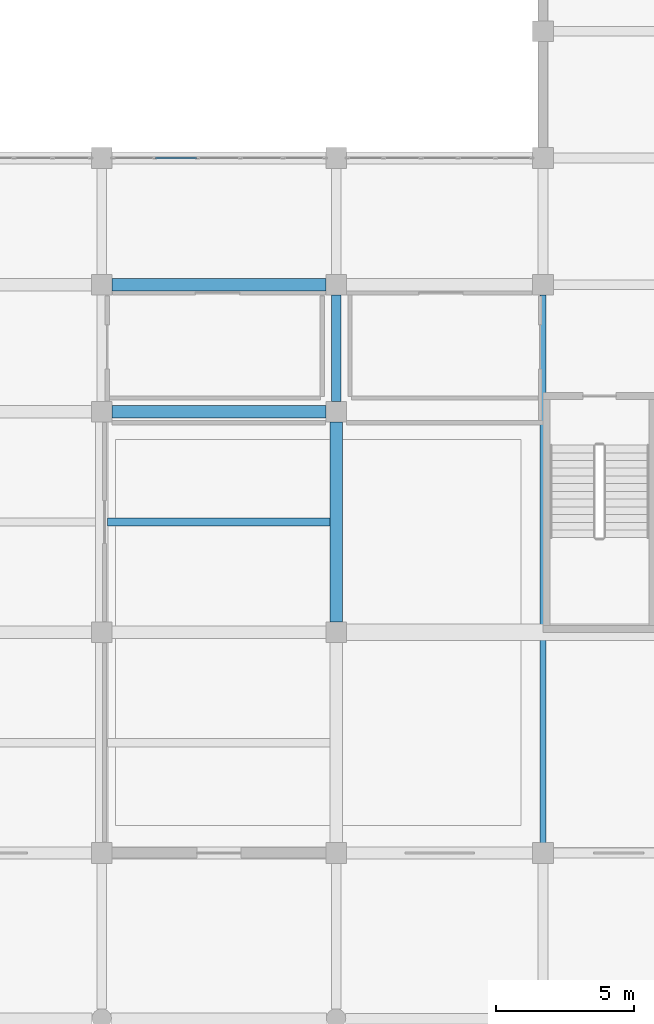
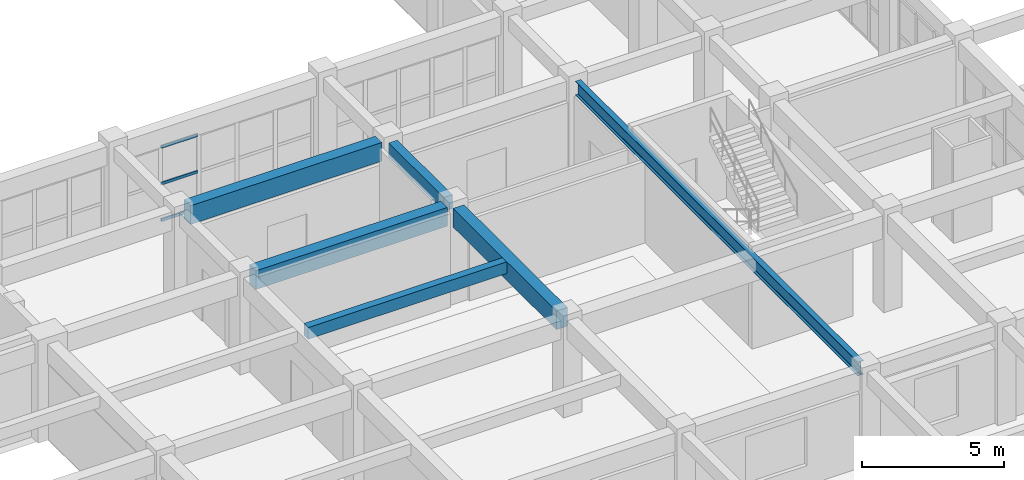
# One storey, part 51 of 116: 6 beams, 3 members, 1 element without a shape of its own.
"""IFC4 building model written with IfcOpenShell, lengths in metres."""

from ifc_helpers import new_model, si_unit, direction, frame, origin, origin_2d, place, context, subcontext, project, spatial, rectangle, hollow_rectangle, i_section, extrude, material, layer, layer_set, material_profile, profile_set, type_object, element, aggregate, save


model = new_model("IFC4")

# Units and contexts
model_context = context("Model", 3, precision=1e-05, world=origin(), true_north=direction((0.0, 1.0)))
body_context = subcontext(model_context, "Body", "Model", "MODEL_VIEW")
ifc_project = project(units=[si_unit("LENGTHUNIT", "METRE"), si_unit("AREAUNIT", "SQUARE_METRE"), si_unit("VOLUMEUNIT", "CUBIC_METRE"), si_unit("PLANEANGLEUNIT", "RADIAN"), si_unit("MASSUNIT", "GRAM", prefix="KILO")], contexts=[model_context])

# Site, building, storey
site_placement = place(None, origin())
site = spatial("IfcSite", under=ifc_project, at=site_placement, CompositionType="ELEMENT")
building_placement = place(site_placement, origin())
building = spatial("IfcBuilding", under=site, at=building_placement, Name="Muzn Square Opera House", CompositionType="ELEMENT")
storey_placement = place(building_placement, frame((0.0, 0.0, 5.39990234375)))
storey = spatial("IfcBuildingStorey", under=building, at=storey_placement, Name="L01", CompositionType="ELEMENT", Elevation=5.39990234375)

# Curtain wall, members
ifc_material_1 = material(Name="Low-E laminated acoustic double glazing", Category="glass")
ifc_layer = layer(ifc_material_1, 0.159912109375, Name="Low-E laminated acoustic double glazing", Category="glass")
ifc_layer_set = layer_set([ifc_layer], Name="Low-E laminated acoustic double glazing")
curtain_wall_type = type_object("IfcCurtainWallType", Name="Glazed Curtain Wall EastCloisterS 7750x3200", PredefinedType="USERDEFINED", material=ifc_layer_set)
curtain_wall_placement = place(storey_placement, origin())
curtain_wall = element("IfcCurtainWall", 1, at=curtain_wall_placement, inside=storey, type_object=curtain_wall_type, Name="Glazed Curtain Wall CW-L01-089", ObjectType="GLAZED CURTAIN WALL", PredefinedType="USERDEFINED")
ifc_material_2 = material(Name="Anodised bronze aluminium 6063-T6", Category="metal")
ifc_material_profile_1 = material_profile(ifc_material_2, hollow_rectangle(XDim=0.06005859375, YDim=0.1201171875, WallThickness=0.00390625, at=origin_2d()), Name="ALU 120x60x4", Category="metal")
ifc_profile_set_1 = profile_set([ifc_material_profile_1], Name="Anodised bronze aluminium 6063-T6")
member_type = type_object("IfcMemberType", Name="Curtain Wall Transom 120x60", PredefinedType="USERDEFINED", material=ifc_profile_set_1)
member_1_placement = place(storey_placement, frame((142.955078125, 31.199951171875, 0.030029296875), z_axis=(1.0, 0.0, 0.0), x_axis=(0.0, 1.0, 0.0)))
member_1 = element("IfcMember", 2, at=member_1_placement, type_object=member_type, Name="CW-ECS-77x32 transom 2.1", ObjectType="TRANSOM", PredefinedType="USERDEFINED", context=body_context, shape_type="SweptSolid", body=[
    extrude(hollow_rectangle(XDim=0.06005859375, YDim=0.1201171875, WallThickness=0.00390625, at=origin_2d()), origin(), (0.0, 0.0, 1.0), 1.489990234375),
])
member_2_placement = place(storey_placement, frame((142.955078125, 31.199951171875, 1.60009765625), z_axis=(1.0, 0.0, 0.0), x_axis=(0.0, 1.0, 0.0)))
member_2 = element("IfcMember", 3, at=member_2_placement, type_object=member_type, Name="CW-ECS-77x32 transom 2.2", ObjectType="TRANSOM", PredefinedType="USERDEFINED", context=body_context, shape_type="SweptSolid", body=[
    extrude(hollow_rectangle(XDim=0.06005859375, YDim=0.1201171875, WallThickness=0.00390625, at=origin_2d()), origin(), (0.0, 0.0, 1.0), 1.489990234375),
])
member_3_placement = place(storey_placement, frame((142.955078125, 31.199951171875, 3.170166015625), z_axis=(1.0, 0.0, 0.0), x_axis=(0.0, 1.0, 0.0)))
member_3 = element("IfcMember", 4, at=member_3_placement, type_object=member_type, Name="CW-ECS-77x32 transom 2.3", ObjectType="TRANSOM", PredefinedType="USERDEFINED", context=body_context, shape_type="SweptSolid", body=[
    extrude(hollow_rectangle(XDim=0.06005859375, YDim=0.1201171875, WallThickness=0.00390625, at=origin_2d()), origin(), (0.0, 0.0, 1.0), 1.489990234375),
])
aggregate(curtain_wall, [member_1, member_2, member_3])

# Beams
ifc_material_3 = material(Name="Concrete C40/50", Category="concrete")
ifc_material_profile_2 = material_profile(ifc_material_3, rectangle(XDim=0.300048828125, YDim=0.5, at=origin_2d()), Name="RCJ 300x500", Category="concrete")
ifc_profile_set_2 = profile_set([ifc_material_profile_2], Name="Concrete C40/50")
beam_type_1 = type_object("IfcBeamType", Name="Floor Joist 300x500", PredefinedType="JOIST", material=ifc_profile_set_2)
beam_1_placement = place(storey_placement, frame((141.217041015625, 18.0, 3.8701171875), z_axis=(1.0, 0.0, 0.0), x_axis=(0.0, 1.0, 0.0)))
element("IfcBeam", 5, at=beam_1_placement, inside=storey, type_object=beam_type_1, Name="Floor Joist BM-L01-BM-J500-1412_180_1493_180-1921", PredefinedType="JOIST", context=body_context, shape_type="SweptSolid", body=[
    extrude(rectangle(XDim=0.300048828125, YDim=0.5, at=origin_2d()), origin(), (0.0, 0.0, 1.0), 8.06591796875),
])
ifc_material_profile_3 = material_profile(ifc_material_3, rectangle(XDim=0.35009765625, YDim=0.60009765625, at=origin_2d()), Name="RCB 350x600", Category="concrete")
ifc_profile_set_3 = profile_set([ifc_material_profile_3], Name="Concrete C40/50")
beam_type_2 = type_object("IfcBeamType", Name="Primary Girder 350x600", PredefinedType="BEAM", material=ifc_profile_set_3)
beam_2_placement = place(storey_placement, frame((149.5, 22.366943359375, 3.820068359375), z_axis=(0.0, 1.0, 0.0), x_axis=(-1.0, 0.0, 0.0)))
element("IfcBeam", 6, at=beam_2_placement, inside=storey, type_object=beam_type_2, Name="Primary Girder BM-L01-BM-PG600-1495_224_1495_262-1730", PredefinedType="BEAM", context=body_context, shape_type="SweptSolid", body=[
    extrude(rectangle(XDim=0.35009765625, YDim=0.60009765625, at=origin_2d()), origin(), (0.0, 0.0, 1.0), 3.865966796875),
])
ifc_material_profile_4 = material_profile(ifc_material_3, rectangle(XDim=0.449951171875, YDim=0.800048828125, at=origin_2d()), Name="RCB 450x800", Category="concrete")
ifc_profile_set_4 = profile_set([ifc_material_profile_4], Name="Concrete C40/50")
beam_type_3 = type_object("IfcBeamType", Name="Primary Girder 450x800", PredefinedType="BEAM", material=ifc_profile_set_4)
for number, where, z_axis, x_axis, name in (
    (7, (141.366943359375, 22.0, 3.72021484375), (1.0, 0.0, 0.0), (0.0, 1.0, 0.0), "Primary Girder BM-L01-BM-PG800-1414_220_1491_220-1292"),
    (8, (141.366943359375, 26.60009765625, 3.72021484375), (1.0, 0.0, 0.0), (0.0, 1.0, 0.0), "Primary Girder BM-L01-BM-PG800-1414_266_1491_266-1307"),
):
    element("IfcBeam", number, at=place(storey_placement, frame(where, z_axis=z_axis, x_axis=x_axis)), inside=storey, type_object=beam_type_3, Name=name, PredefinedType="BEAM", context=body_context, shape_type="SweptSolid", body=[
        extrude(rectangle(XDim=0.449951171875, YDim=0.800048828125, at=origin_2d()), origin(), (0.0, 0.0, 1.0), 7.76611328125),
    ])
beam_3_placement = place(storey_placement, frame((149.5, 14.366943359375, 3.72021484375), z_axis=(0.0, 1.0, 0.0), x_axis=(-1.0, 0.0, 0.0)))
element("IfcBeam", 9, at=beam_3_placement, inside=storey, type_object=beam_type_3, Name="Primary Girder BM-L01-BM-PG800-1495_144_1495_216-1729", PredefinedType="BEAM", context=body_context, shape_type="SweptSolid", body=[
    extrude(rectangle(XDim=0.449951171875, YDim=0.800048828125, at=origin_2d()), origin(), (0.0, 0.0, 1.0), 7.26611328125),
])
ifc_material_4 = material(Name="Steel S355", Category="steel")
ifc_material_profile_5 = material_profile(ifc_material_4, i_section(OverallWidth=0.219970703125, OverallDepth=0.60009765625, WebThickness=0.011962890625, FlangeThickness=0.01904296875, FilletRadius=0.02392578125, at=origin_2d()), Name="IPE 600", Category="steel")
ifc_profile_set_5 = profile_set([ifc_material_profile_5], Name="Steel S355")
beam_type_4 = type_object("IfcBeamType", Name="Stage Gallery Beam IPE600", PredefinedType="BEAM", material=ifc_profile_set_5)
beam_4_placement = place(storey_placement, frame((157.0, 6.366943359375, 3.820068359375), z_axis=(0.0, 1.0, 0.0), x_axis=(-1.0, 0.0, 0.0)))
element("IfcBeam", 10, at=beam_4_placement, inside=storey, type_object=beam_type_4, Name="Primary Girder BM-L01-BM-SG600-1570_64_1570_262-1738", PredefinedType="BEAM", context=body_context, shape_type="SweptSolid", body=[
    extrude(i_section(OverallWidth=0.219970703125, OverallDepth=0.60009765625, WebThickness=0.011962890625, FlangeThickness=0.01904296875, FilletRadius=0.02392578125, at=origin_2d()), origin(), (0.0, 0.0, 1.0), 19.865966796875),
])

save(model, "model.ifc")
